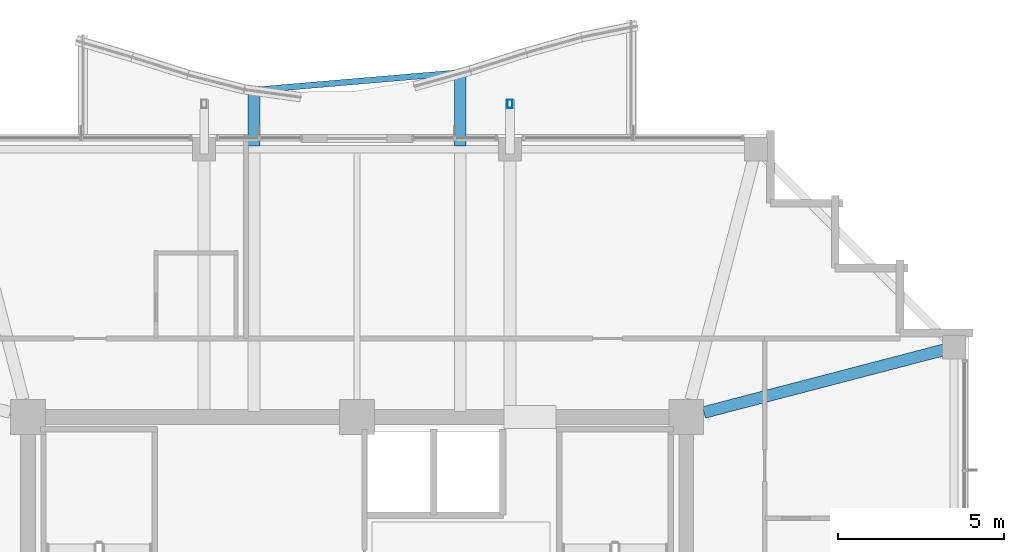
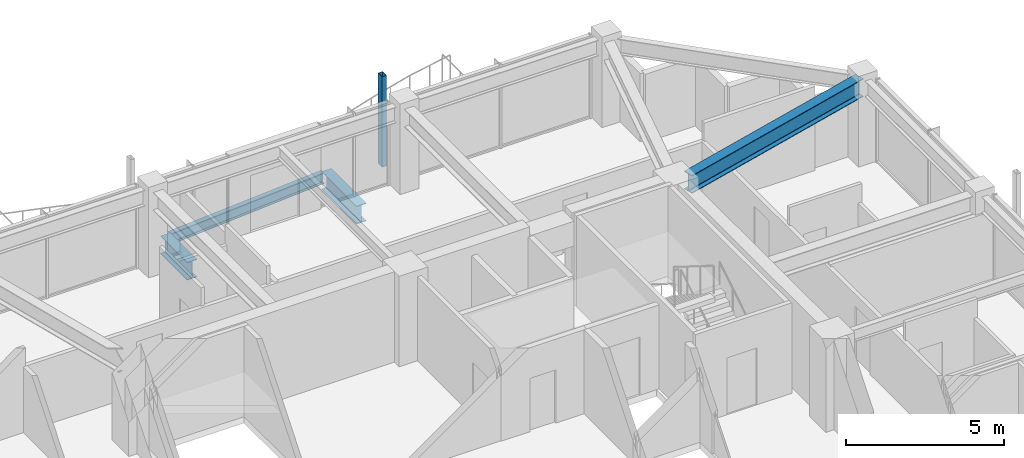
# One storey, part 18 of 31: 4 beams, 1 member.
"""IFC4 building model written with IfcOpenShell, lengths in metres."""

from ifc_helpers import new_model, si_unit, direction, frame, origin, origin_2d, place, context, subcontext, project, spatial, hollow_rectangle, i_section, extrude, material, material_profile, profile_set, type_object, element, save


model = new_model("IFC4")

# Units and contexts
model_context = context("Model", 3, precision=1e-05, world=origin(), true_north=direction((0.0, 1.0)))
body_context = subcontext(model_context, "Body", "Model", "MODEL_VIEW")
ifc_project = project(units=[si_unit("LENGTHUNIT", "METRE"), si_unit("AREAUNIT", "SQUARE_METRE"), si_unit("VOLUMEUNIT", "CUBIC_METRE"), si_unit("PLANEANGLEUNIT", "RADIAN"), si_unit("MASSUNIT", "GRAM", prefix="KILO")], contexts=[model_context])

# Site, building, storey
site_placement = place(None, origin())
site = spatial("IfcSite", under=ifc_project, at=site_placement, CompositionType="ELEMENT")
building_placement = place(site_placement, origin())
building = spatial("IfcBuilding", under=site, at=building_placement, Name="Kolvaren Belvedere", CompositionType="ELEMENT")
storey_placement = place(building_placement, frame((0.0, 0.0, 247.89990234375)))
storey = spatial("IfcBuildingStorey", under=building, at=storey_placement, Name="L72", CompositionType="ELEMENT", Elevation=247.89990234375)

# Beams
ifc_material_1 = material(Name="Structural steel ASTM A992 Grade 50", Category="steel")
ifc_material_profile_1 = material_profile(ifc_material_1, i_section(OverallWidth=0.35498046875, OverallDepth=0.696044921875, WebThickness=0.015380859375, FlangeThickness=0.02490234375, FilletRadius=0.02197265625, at=origin_2d()), Name="W27X146")
ifc_profile_set_1 = profile_set([ifc_material_profile_1], Name="Structural steel ASTM A992 Grade 50")
beam_type_1 = type_object("IfcBeamType", Name="BM-CANT-BAL", PredefinedType="BEAM", material=ifc_profile_set_1)
beam_1_placement = place(storey_placement, frame((-3.10009765625, 18.044921875, -0.597900390625), z_axis=(0.0, 1.0, 0.0), x_axis=(-1.0, 0.0, 0.0)))
element("IfcBeam", 1, at=beam_1_placement, inside=storey, type_object=beam_type_1, Name="L72 Planted Balcony Cantilever BAL-N-1", PredefinedType="BEAM", context=body_context, shape_type="SweptSolid", body=[
    extrude(i_section(OverallWidth=0.35498046875, OverallDepth=0.696044921875, WebThickness=0.015380859375, FlangeThickness=0.02490234375, FilletRadius=0.02197265625, at=origin_2d()), origin(), (0.0, 0.0, 1.0), 1.6875),
])
beam_2_placement = place(storey_placement, frame((3.10009765625, 18.044921875, -0.597900390625), z_axis=(0.0, 1.0, 0.0), x_axis=(-1.0, 0.0, 0.0)))
element("IfcBeam", 2, at=beam_2_placement, inside=storey, type_object=beam_type_1, Name="L72 Planted Balcony Cantilever BAL-N-2", PredefinedType="BEAM", context=body_context, shape_type="SweptSolid", body=[
    extrude(i_section(OverallWidth=0.35498046875, OverallDepth=0.696044921875, WebThickness=0.015380859375, FlangeThickness=0.02490234375, FilletRadius=0.02197265625, at=origin_2d()), origin(), (0.0, 0.0, 1.0), 2.213623046875),
])
ifc_material_2 = material(Name="Structural steel ASTM A992 Grade 50", Category="steel")
ifc_material_profile_2 = material_profile(ifc_material_2, i_section(OverallWidth=0.180908203125, OverallDepth=0.4169921875, WebThickness=0.010986328125, FlangeThickness=0.018310546875, FilletRadius=0.013916015625, at=origin_2d()), Name="W16X57")
ifc_profile_set_2 = profile_set([ifc_material_profile_2], Name="Structural steel ASTM A992 Grade 50")
beam_type_2 = type_object("IfcBeamType", Name="BM-EDGE-W16X57", PredefinedType="BEAM", material=ifc_profile_set_2)
beam_3_placement = place(storey_placement, frame((-2.96044921875, 19.744140625, -0.45849609375), z_axis=(0.996415343973, 0.08459587635, 0.0), x_axis=(-0.08459587635, 0.996415343973, 0.0)))
element("IfcBeam", 3, at=beam_3_placement, inside=storey, type_object=beam_type_2, Name="L72 Balcony Tip Header Beam BAL-N", PredefinedType="BEAM", context=body_context, shape_type="SweptSolid", body=[
    extrude(i_section(OverallWidth=0.180908203125, OverallDepth=0.4169921875, WebThickness=0.010986328125, FlangeThickness=0.018310546875, FilletRadius=0.013916015625, at=origin_2d()), origin(), (0.0, 0.0, 1.0), 5.942138671875),
])
ifc_material_3 = material(Name="Structural steel ASTM A992 Grade 50", Category="steel")
ifc_material_profile_3 = material_profile(ifc_material_3, i_section(OverallWidth=0.35498046875, OverallDepth=0.696044921875, WebThickness=0.015380859375, FlangeThickness=0.02490234375, FilletRadius=0.02197265625, at=origin_2d()), Name="W27X146")
ifc_profile_set_3 = profile_set([ifc_material_profile_3], Name="Structural steel ASTM A992 Grade 50")
beam_type_3 = type_object("IfcBeamType", Name="BM-GIRD-W27X146", PredefinedType="BEAM", material=ifc_profile_set_3)
beam_4_placement = place(storey_placement, frame((10.43212890625, 10.038818359375, 2.902099609375), z_axis=(0.967618631679, 0.25241668651, 0.0), x_axis=(-0.25241668651, 0.967618631679, 0.0)))
element("IfcBeam", 4, at=beam_4_placement, inside=storey, type_object=beam_type_3, Name="L72 Corner Core-to-Perimeter Girder CC3-E4", PredefinedType="BEAM", context=body_context, shape_type="SweptSolid", body=[
    extrude(i_section(OverallWidth=0.35498046875, OverallDepth=0.696044921875, WebThickness=0.015380859375, FlangeThickness=0.02490234375, FilletRadius=0.02197265625, at=origin_2d()), origin(), (0.0, 0.0, 1.0), 7.62939453125),
])

# Member
ifc_material_4 = material(Name="Anodised pale-metal aluminium AA 6063-T6", Category="aluminium")
ifc_material_profile_4 = material_profile(ifc_material_4, hollow_rectangle(XDim=0.159912109375, YDim=0.260009765625, WallThickness=0.006591796875, at=origin_2d()), Name="ALU-PF-260X160")
ifc_profile_set_4 = profile_set([ifc_material_profile_4], Name="Anodised pale-metal aluminium AA 6063-T6")
member_type = type_object("IfcMemberType", Name="PF-FRAME-260", PredefinedType="USERDEFINED", material=ifc_profile_set_4)
member_placement = place(storey_placement, frame((4.60009765625, 19.320068359375, 0.0), z_axis=(0.0, 0.0, 1.0), x_axis=(1.0, 0.0, 0.0)))
element("IfcMember", 5, at=member_placement, inside=storey, type_object=member_type, Name="L72 Outboard Picture-Frame Vertical N2", ObjectType="PICTURE FRAME FIN", PredefinedType="USERDEFINED", context=body_context, shape_type="SweptSolid", body=[
    extrude(hollow_rectangle(XDim=0.159912109375, YDim=0.260009765625, WallThickness=0.006591796875, at=origin_2d()), origin(), (0.0, 0.0, 1.0), 3.5),
])

save(model, "model.ifc")
